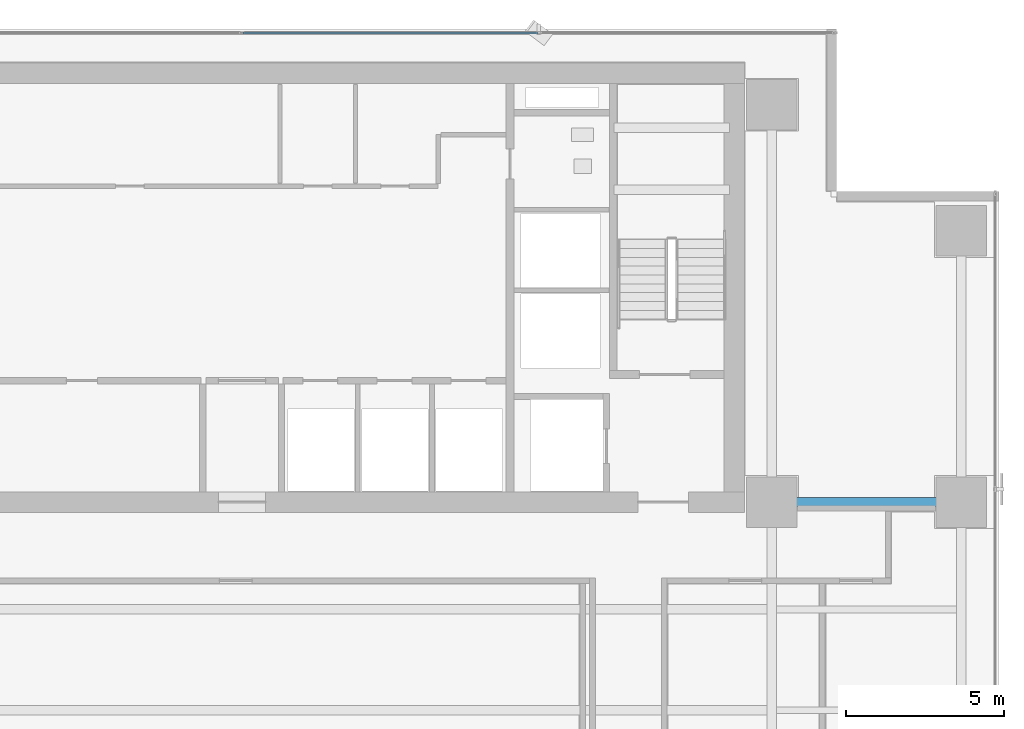
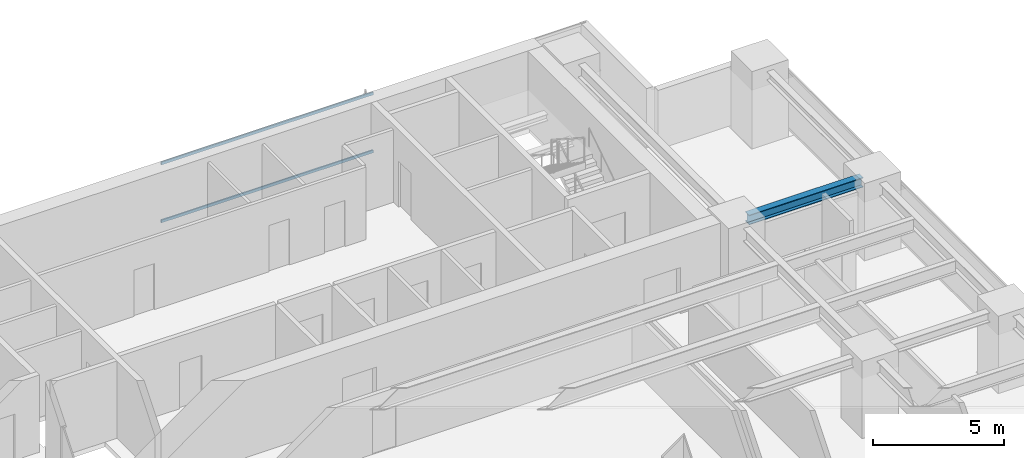
# One storey, part 17 of 28: 2 members, 1 beam, 1 element without a shape of its own.
"""IFC4 building model written with IfcOpenShell, lengths in metres."""

from ifc_helpers import new_model, si_unit, direction, frame, origin, origin_2d, place, context, subcontext, project, spatial, hollow_rectangle, i_section, extrude, source, transform, mapped, material, layer, layer_set, material_profile, profile_set, type_object, element, aggregate, save


model = new_model("IFC4")

# Units and contexts
model_context = context("Model", 3, precision=1e-05, world=origin(), true_north=direction((0.0, 1.0)))
body_context = subcontext(model_context, "Body", "Model", "MODEL_VIEW")
ifc_project = project(units=[si_unit("LENGTHUNIT", "METRE"), si_unit("AREAUNIT", "SQUARE_METRE"), si_unit("VOLUMEUNIT", "CUBIC_METRE"), si_unit("PLANEANGLEUNIT", "RADIAN"), si_unit("MASSUNIT", "GRAM", prefix="KILO")], contexts=[model_context])

# Site, building, storey
site_placement = place(None, origin())
site = spatial("IfcSite", under=ifc_project, at=site_placement, CompositionType="ELEMENT")
building_placement = place(site_placement, origin())
building = spatial("IfcBuilding", under=site, at=building_placement, Name="Sumidabori Civic Tower", CompositionType="ELEMENT")
storey_placement = place(building_placement, frame((0.0, 0.0, 174.800048828125)))
storey = spatial("IfcBuildingStorey", under=building, at=storey_placement, Name="L45", CompositionType="ELEMENT", Elevation=174.800048828125)

# Beam
ifc_material_1 = material(Name="Steel SN490", Category="steel")
ifc_material_profile_1 = material_profile(ifc_material_1, i_section(OverallWidth=0.300048828125, OverallDepth=0.449951171875, WebThickness=0.013916015625, FlangeThickness=0.02587890625, at=origin_2d()), Name="HE 450 B")
ifc_profile_set_1 = profile_set([ifc_material_profile_1], Name="Steel SN490")
beam_type = type_object("IfcBeamType", Name="BM-GIRD-450", PredefinedType="BEAM", material=ifc_profile_set_1)
shared_shape_1 = source(origin(), body_context, "Body", "SweptSolid", [
    extrude(i_section(OverallWidth=0.300048828125, OverallDepth=0.449951171875, WebThickness=0.013916015625, FlangeThickness=0.02587890625, at=origin_2d()), origin(), (0.0, 0.0, 1.0), 5.0400390625),
])
beam_placement = place(storey_placement, frame((17.280029296875, 10.199951171875, 3.155029296875), z_axis=(1.0, 0.0, 0.0), x_axis=(0.0, 1.0, 0.0)))
element("IfcBeam", 1, at=beam_placement, inside=storey, type_object=beam_type, Name="Primary Girder L45 GX-18", PredefinedType="BEAM", context=body_context, shape_type="MappedRepresentation", body=[
    mapped(shared_shape_1, transform((0.0, 0.0, 0.0), x_axis=(1.0, 0.0, 0.0), y_axis=(0.0, 1.0, 0.0), z_axis=(0.0, 0.0, 1.0), scale=1.0)),
])

# Curtain wall, members
ifc_material_2 = material(Name="Anodised Bronze Aluminium AW-6063-T6", Category="aluminium")
ifc_layer = layer(ifc_material_2, 0.179931640625, Name="Anodised Bronze Aluminium AW-6063-T6")
ifc_layer_set = layer_set([ifc_layer], Name="Anodised Bronze Aluminium AW-6063-T6")
curtain_wall_type = type_object("IfcCurtainWallType", Name="CW-SYS-3", PredefinedType="NOTDEFINED", material=ifc_layer_set)
curtain_wall_placement = place(storey_placement, origin())
curtain_wall = element("IfcCurtainWall", 2, at=curtain_wall_placement, inside=storey, type_object=curtain_wall_type, Name="Curtain Wall CW:L45:R07", PredefinedType="NOTDEFINED")
ifc_material_profile_2 = material_profile(ifc_material_2, hollow_rectangle(XDim=0.06005859375, YDim=0.1298828125, WallThickness=0.0048828125, at=origin_2d()), Name="ALU TRANSOM 130x60")
ifc_profile_set_2 = profile_set([ifc_material_profile_2], Name="Anodised Bronze Aluminium AW-6063-T6")
member_type = type_object("IfcMemberType", Name="CW-TRN-130", PredefinedType="USERDEFINED", material=ifc_profile_set_2)
shared_shape_2 = source(origin(), body_context, "Body", "SweptSolid", [
    extrude(hollow_rectangle(XDim=0.06005859375, YDim=0.1298828125, WallThickness=0.0048828125, at=origin_2d()), origin(), (0.0, 0.0, 1.0), 9.344970703125),
])
member_1_placement = place(storey_placement, frame((9.37744140625, 25.080078125, 0.030029296875), z_axis=(-1.0, 0.0, 0.0), x_axis=(0.0, -1.0, 0.0)))
member_1 = element("IfcMember", 3, at=member_1_placement, type_object=member_type, Name="CW-3 transom 2.1", ObjectType="TRANSOM", PredefinedType="USERDEFINED", context=body_context, shape_type="MappedRepresentation", body=[
    mapped(shared_shape_2, transform((0.0, 0.0, 0.0), x_axis=(1.0, 0.0, 0.0), y_axis=(0.0, 1.0, 0.0), z_axis=(0.0, 0.0, 1.0), scale=1.0)),
])
member_2_placement = place(storey_placement, frame((9.37744140625, 25.080078125, 2.72998046875), z_axis=(-1.0, 0.0, 0.0), x_axis=(0.0, -1.0, 0.0)))
member_2 = element("IfcMember", 4, at=member_2_placement, type_object=member_type, Name="CW-3 transom 2.2", ObjectType="TRANSOM", PredefinedType="USERDEFINED", context=body_context, shape_type="MappedRepresentation", body=[
    mapped(shared_shape_2, transform((0.0, 0.0, 0.0), x_axis=(1.0, 0.0, 0.0), y_axis=(0.0, 1.0, 0.0), z_axis=(0.0, 0.0, 1.0), scale=1.0)),
])
aggregate(curtain_wall, [member_1, member_2])

save(model, "model.ifc")
